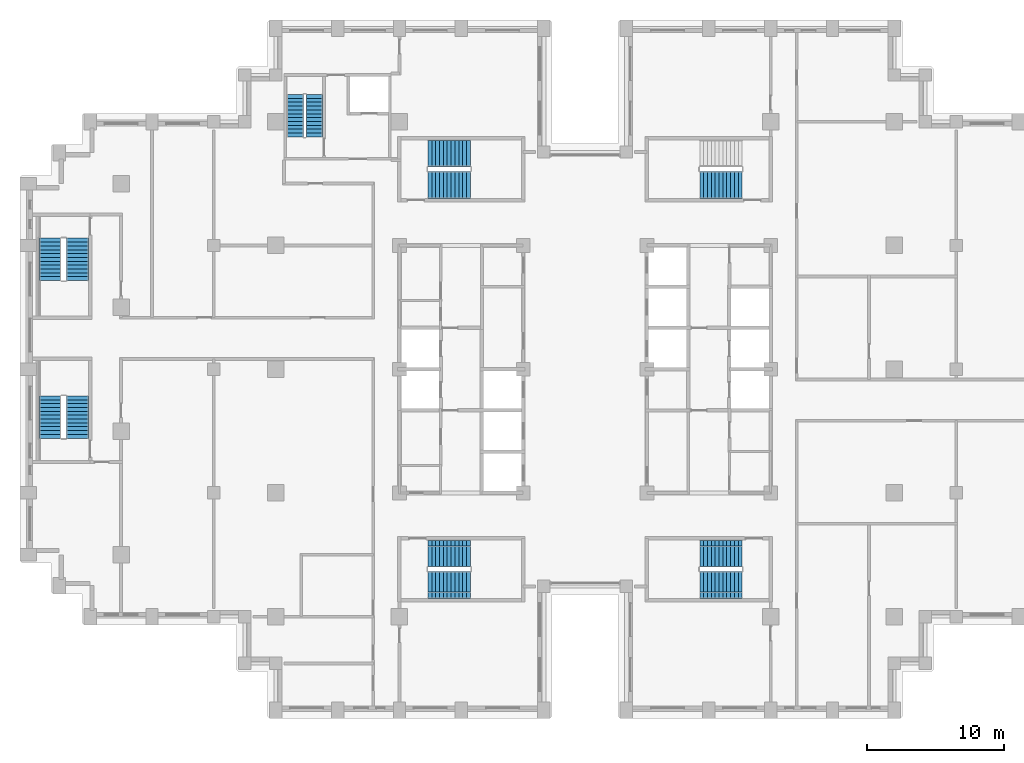
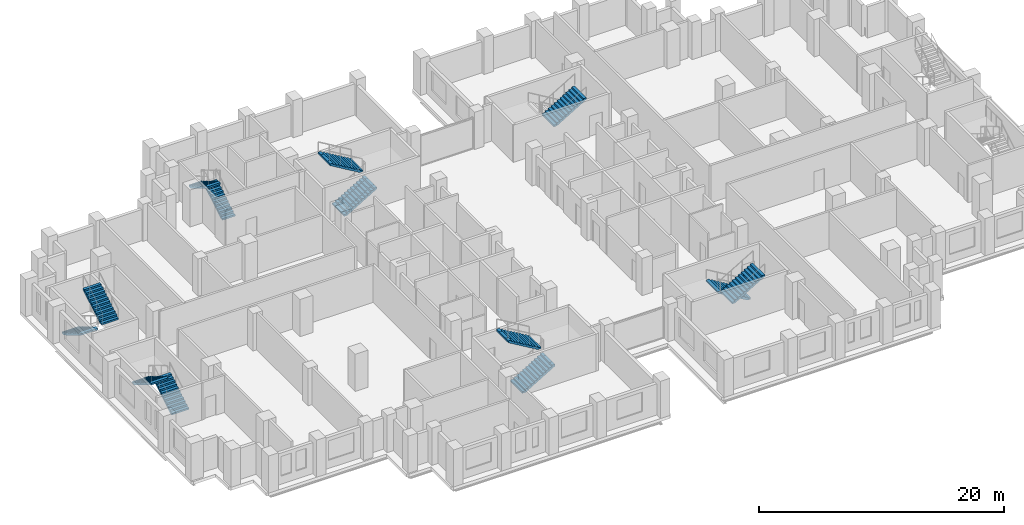
# One storey, part 13 of 16: 13 stair flights, 7 elements without a shape of their own.
"""IFC4 building model written with IfcOpenShell, lengths in metres."""

from ifc_helpers import new_model, si_unit, direction, frame, origin, place, context, subcontext, project, spatial, polyline, outline, extrude, material, type_object, element, aggregate, save


model = new_model("IFC4")

# Units and contexts
model_context = context("Model", 3, precision=1e-05, world=origin(), true_north=direction((0.0, 1.0)))
body_context = subcontext(model_context, "Body", "Model", "MODEL_VIEW")
ifc_project = project(units=[si_unit("LENGTHUNIT", "METRE"), si_unit("AREAUNIT", "SQUARE_METRE"), si_unit("VOLUMEUNIT", "CUBIC_METRE"), si_unit("PLANEANGLEUNIT", "RADIAN"), si_unit("MASSUNIT", "GRAM", prefix="KILO")], contexts=[model_context])

# Site, building, storey
site_placement = place(None, origin())
site = spatial("IfcSite", under=ifc_project, at=site_placement, CompositionType="ELEMENT")
building_placement = place(site_placement, origin())
building = spatial("IfcBuilding", under=site, at=building_placement, Name="Corbelhall Arena Tower", CompositionType="ELEMENT")
storey_placement = place(building_placement, frame((0.0, 0.0, 72.0)))
storey = spatial("IfcBuildingStorey", under=building, at=storey_placement, Name="L10", CompositionType="ELEMENT", Elevation=72.0)

# Stair, stair flights
ifc_material = material(Name="Concrete C40/50", Category="concrete")
stair_type = type_object("IfcStairType", Name="IN-ST-TOWER", PredefinedType="HALF_TURN_STAIR", material=ifc_material)
stair_1_placement = place(storey_placement, origin())
stair_1 = element("IfcStair", 1, at=stair_1_placement, inside=storey, type_object=stair_type, Name="L10 Exit stair ST1", PredefinedType="HALF_TURN_STAIR")
stair_flight_type = type_object("IfcStairFlightType", Name="IN-SFL-RC", PredefinedType="STRAIGHT", material=ifc_material)
stair_flight_1_placement = place(storey_placement, frame((-11.425048828125, 13.39990234375, 0.0), z_axis=(0.0, 0.0, 1.0), x_axis=(1.0, 0.0, 0.0)))
stair_flight_1 = element("IfcStairFlight", 2, at=stair_flight_1_placement, type_object=stair_flight_type, Name="ST1 flight 1", NumberOfRisers=12, NumberOfTreads=11, PredefinedType="STRAIGHT", RiserHeight=0.166666667, TreadLength=0.28, context=body_context, shape_type="SweptSolid", body=[
    extrude(outline(polyline([(0.0, 0.0), (0.0, 0.166748046875), (0.280029296875, 0.166748046875), (0.280029296875, 0.333251953125), (0.56005859375, 0.333251953125), (0.56005859375, 0.5), (0.840087890625, 0.5), (0.840087890625, 0.666748046875), (1.1201171875, 0.666748046875), (1.1201171875, 0.833251953125), (1.39990234375, 0.833251953125), (1.39990234375, 1.0), (1.679931640625, 1.0), (1.679931640625, 1.166748046875), (1.9599609375, 1.166748046875), (1.9599609375, 1.333251953125), (2.239990234375, 1.333251953125), (2.239990234375, 1.5), (2.52001953125, 1.5), (2.52001953125, 1.666748046875), (2.800048828125, 1.666748046875), (2.800048828125, 1.833251953125), (3.080078125, 1.833251953125), (3.080078125, 2.0), (3.080078125, 1.658935546875), (0.29296875, 0.0), (0.0, 0.0)])), frame((0.0, 0.97509765625, 0.0), z_axis=(0.0, -1.0, 0.0), x_axis=(1.0, 0.0, 0.0)), (0.0, 0.0, 1.0), 0.449951171875),
    extrude(outline(polyline([(0.0, 0.0), (0.0, 0.166748046875), (0.280029296875, 0.166748046875), (0.280029296875, 0.333251953125), (0.56005859375, 0.333251953125), (0.56005859375, 0.5), (0.840087890625, 0.5), (0.840087890625, 0.666748046875), (1.1201171875, 0.666748046875), (1.1201171875, 0.833251953125), (1.39990234375, 0.833251953125), (1.39990234375, 1.0), (1.679931640625, 1.0), (1.679931640625, 1.166748046875), (1.9599609375, 1.166748046875), (1.9599609375, 1.333251953125), (2.239990234375, 1.333251953125), (2.239990234375, 1.5), (2.52001953125, 1.5), (2.52001953125, 1.666748046875), (2.800048828125, 1.666748046875), (2.800048828125, 1.833251953125), (3.080078125, 1.833251953125), (3.080078125, 2.0), (3.080078125, 1.658935546875), (0.29296875, 0.0), (0.0, 0.0)])), frame((0.0, 0.52099609375, 0.0), z_axis=(0.0, -1.0, 0.0), x_axis=(1.0, 0.0, 0.0)), (0.0, 0.0, 1.0), 1.0419921875),
    extrude(outline(polyline([(0.0, 0.0), (0.0, 0.166748046875), (0.280029296875, 0.166748046875), (0.280029296875, 0.333251953125), (0.56005859375, 0.333251953125), (0.56005859375, 0.5), (0.840087890625, 0.5), (0.840087890625, 0.666748046875), (1.1201171875, 0.666748046875), (1.1201171875, 0.833251953125), (1.39990234375, 0.833251953125), (1.39990234375, 1.0), (1.679931640625, 1.0), (1.679931640625, 1.166748046875), (1.9599609375, 1.166748046875), (1.9599609375, 1.333251953125), (2.239990234375, 1.333251953125), (2.239990234375, 1.5), (2.52001953125, 1.5), (2.52001953125, 1.666748046875), (2.800048828125, 1.666748046875), (2.800048828125, 1.833251953125), (3.080078125, 1.833251953125), (3.080078125, 2.0), (3.080078125, 1.658935546875), (0.29296875, 0.0), (0.0, 0.0)])), frame((0.0, -0.52490234375, 0.0), z_axis=(0.0, -1.0, 0.0), x_axis=(1.0, 0.0, 0.0)), (0.0, 0.0, 1.0), 0.449951171875),
])
stair_flight_2_placement = place(storey_placement, frame((-8.344970703125, 15.699951171875, 2.0), z_axis=(0.0, 0.0, 1.0), x_axis=(-1.0, 0.0, 0.0)))
stair_flight_2 = element("IfcStairFlight", 3, at=stair_flight_2_placement, type_object=stair_flight_type, Name="ST1 flight 2", NumberOfRisers=12, NumberOfTreads=11, PredefinedType="STRAIGHT", RiserHeight=0.166666667, TreadLength=0.28, context=body_context, shape_type="SweptSolid", body=[
    extrude(outline(polyline([(0.0, 0.0), (0.0, 0.166748046875), (0.280029296875, 0.166748046875), (0.280029296875, 0.333251953125), (0.56005859375, 0.333251953125), (0.56005859375, 0.5), (0.840087890625, 0.5), (0.840087890625, 0.666748046875), (1.1201171875, 0.666748046875), (1.1201171875, 0.833251953125), (1.39990234375, 0.833251953125), (1.39990234375, 1.0), (1.679931640625, 1.0), (1.679931640625, 1.166748046875), (1.9599609375, 1.166748046875), (1.9599609375, 1.333251953125), (2.239990234375, 1.333251953125), (2.239990234375, 1.5), (2.52001953125, 1.5), (2.52001953125, 1.666748046875), (2.800048828125, 1.666748046875), (2.800048828125, 1.833251953125), (3.080078125, 1.833251953125), (3.080078125, 2.0), (3.080078125, 1.658935546875), (0.29296875, 0.0), (0.0, 0.0)])), frame((0.0, 0.97509765625, 0.0), z_axis=(0.0, -1.0, 0.0), x_axis=(1.0, 0.0, 0.0)), (0.0, 0.0, 1.0), 0.449951171875),
    extrude(outline(polyline([(0.0, 0.0), (0.0, 0.166748046875), (0.280029296875, 0.166748046875), (0.280029296875, 0.333251953125), (0.56005859375, 0.333251953125), (0.56005859375, 0.5), (0.840087890625, 0.5), (0.840087890625, 0.666748046875), (1.1201171875, 0.666748046875), (1.1201171875, 0.833251953125), (1.39990234375, 0.833251953125), (1.39990234375, 1.0), (1.679931640625, 1.0), (1.679931640625, 1.166748046875), (1.9599609375, 1.166748046875), (1.9599609375, 1.333251953125), (2.239990234375, 1.333251953125), (2.239990234375, 1.5), (2.52001953125, 1.5), (2.52001953125, 1.666748046875), (2.800048828125, 1.666748046875), (2.800048828125, 1.833251953125), (3.080078125, 1.833251953125), (3.080078125, 2.0), (3.080078125, 1.658935546875), (0.29296875, 0.0), (0.0, 0.0)])), frame((0.0, 0.52099609375, 0.0), z_axis=(0.0, -1.0, 0.0), x_axis=(1.0, 0.0, 0.0)), (0.0, 0.0, 1.0), 1.0419921875),
    extrude(outline(polyline([(0.0, 0.0), (0.0, 0.166748046875), (0.280029296875, 0.166748046875), (0.280029296875, 0.333251953125), (0.56005859375, 0.333251953125), (0.56005859375, 0.5), (0.840087890625, 0.5), (0.840087890625, 0.666748046875), (1.1201171875, 0.666748046875), (1.1201171875, 0.833251953125), (1.39990234375, 0.833251953125), (1.39990234375, 1.0), (1.679931640625, 1.0), (1.679931640625, 1.166748046875), (1.9599609375, 1.166748046875), (1.9599609375, 1.333251953125), (2.239990234375, 1.333251953125), (2.239990234375, 1.5), (2.52001953125, 1.5), (2.52001953125, 1.666748046875), (2.800048828125, 1.666748046875), (2.800048828125, 1.833251953125), (3.080078125, 1.833251953125), (3.080078125, 2.0), (3.080078125, 1.658935546875), (0.29296875, 0.0), (0.0, 0.0)])), frame((0.0, -0.52490234375, 0.0), z_axis=(0.0, -1.0, 0.0), x_axis=(1.0, 0.0, 0.0)), (0.0, 0.0, 1.0), 0.449951171875),
])
aggregate(stair_1, [stair_flight_1, stair_flight_2])

stair_2_placement = place(storey_placement, origin())
stair_2 = element("IfcStair", 4, at=stair_2_placement, inside=storey, type_object=stair_type, Name="L10 Exit stair ST2", PredefinedType="HALF_TURN_STAIR")
stair_flight_3_placement = place(storey_placement, frame((-11.425048828125, -15.699951171875, 0.0), z_axis=(0.0, 0.0, 1.0), x_axis=(1.0, 0.0, 0.0)))
stair_flight_3 = element("IfcStairFlight", 5, at=stair_flight_3_placement, type_object=stair_flight_type, Name="ST2 flight 1", NumberOfRisers=12, NumberOfTreads=11, PredefinedType="STRAIGHT", RiserHeight=0.166666667, TreadLength=0.28, context=body_context, shape_type="SweptSolid", body=[
    extrude(outline(polyline([(0.0, 0.0), (0.0, 0.166748046875), (0.280029296875, 0.166748046875), (0.280029296875, 0.333251953125), (0.56005859375, 0.333251953125), (0.56005859375, 0.5), (0.840087890625, 0.5), (0.840087890625, 0.666748046875), (1.1201171875, 0.666748046875), (1.1201171875, 0.833251953125), (1.39990234375, 0.833251953125), (1.39990234375, 1.0), (1.679931640625, 1.0), (1.679931640625, 1.166748046875), (1.9599609375, 1.166748046875), (1.9599609375, 1.333251953125), (2.239990234375, 1.333251953125), (2.239990234375, 1.5), (2.52001953125, 1.5), (2.52001953125, 1.666748046875), (2.800048828125, 1.666748046875), (2.800048828125, 1.833251953125), (3.080078125, 1.833251953125), (3.080078125, 2.0), (3.080078125, 1.658935546875), (0.29296875, 0.0), (0.0, 0.0)])), frame((0.0, 0.97509765625, 0.0), z_axis=(0.0, -1.0, 0.0), x_axis=(1.0, 0.0, 0.0)), (0.0, 0.0, 1.0), 0.449951171875),
    extrude(outline(polyline([(0.0, 0.0), (0.0, 0.166748046875), (0.280029296875, 0.166748046875), (0.280029296875, 0.333251953125), (0.56005859375, 0.333251953125), (0.56005859375, 0.5), (0.840087890625, 0.5), (0.840087890625, 0.666748046875), (1.1201171875, 0.666748046875), (1.1201171875, 0.833251953125), (1.39990234375, 0.833251953125), (1.39990234375, 1.0), (1.679931640625, 1.0), (1.679931640625, 1.166748046875), (1.9599609375, 1.166748046875), (1.9599609375, 1.333251953125), (2.239990234375, 1.333251953125), (2.239990234375, 1.5), (2.52001953125, 1.5), (2.52001953125, 1.666748046875), (2.800048828125, 1.666748046875), (2.800048828125, 1.833251953125), (3.080078125, 1.833251953125), (3.080078125, 2.0), (3.080078125, 1.658935546875), (0.29296875, 0.0), (0.0, 0.0)])), frame((0.0, 0.52099609375, 0.0), z_axis=(0.0, -1.0, 0.0), x_axis=(1.0, 0.0, 0.0)), (0.0, 0.0, 1.0), 1.0419921875),
    extrude(outline(polyline([(0.0, 0.0), (0.0, 0.166748046875), (0.280029296875, 0.166748046875), (0.280029296875, 0.333251953125), (0.56005859375, 0.333251953125), (0.56005859375, 0.5), (0.840087890625, 0.5), (0.840087890625, 0.666748046875), (1.1201171875, 0.666748046875), (1.1201171875, 0.833251953125), (1.39990234375, 0.833251953125), (1.39990234375, 1.0), (1.679931640625, 1.0), (1.679931640625, 1.166748046875), (1.9599609375, 1.166748046875), (1.9599609375, 1.333251953125), (2.239990234375, 1.333251953125), (2.239990234375, 1.5), (2.52001953125, 1.5), (2.52001953125, 1.666748046875), (2.800048828125, 1.666748046875), (2.800048828125, 1.833251953125), (3.080078125, 1.833251953125), (3.080078125, 2.0), (3.080078125, 1.658935546875), (0.29296875, 0.0), (0.0, 0.0)])), frame((0.0, -0.52490234375, 0.0), z_axis=(0.0, -1.0, 0.0), x_axis=(1.0, 0.0, 0.0)), (0.0, 0.0, 1.0), 0.449951171875),
])
stair_flight_4_placement = place(storey_placement, frame((-8.344970703125, -13.39990234375, 2.0), z_axis=(0.0, 0.0, 1.0), x_axis=(-1.0, 0.0, 0.0)))
stair_flight_4 = element("IfcStairFlight", 6, at=stair_flight_4_placement, type_object=stair_flight_type, Name="ST2 flight 2", NumberOfRisers=12, NumberOfTreads=11, PredefinedType="STRAIGHT", RiserHeight=0.166666667, TreadLength=0.28, context=body_context, shape_type="SweptSolid", body=[
    extrude(outline(polyline([(0.0, 0.0), (0.0, 0.166748046875), (0.280029296875, 0.166748046875), (0.280029296875, 0.333251953125), (0.56005859375, 0.333251953125), (0.56005859375, 0.5), (0.840087890625, 0.5), (0.840087890625, 0.666748046875), (1.1201171875, 0.666748046875), (1.1201171875, 0.833251953125), (1.39990234375, 0.833251953125), (1.39990234375, 1.0), (1.679931640625, 1.0), (1.679931640625, 1.166748046875), (1.9599609375, 1.166748046875), (1.9599609375, 1.333251953125), (2.239990234375, 1.333251953125), (2.239990234375, 1.5), (2.52001953125, 1.5), (2.52001953125, 1.666748046875), (2.800048828125, 1.666748046875), (2.800048828125, 1.833251953125), (3.080078125, 1.833251953125), (3.080078125, 2.0), (3.080078125, 1.658935546875), (0.29296875, 0.0), (0.0, 0.0)])), frame((0.0, 0.97509765625, 0.0), z_axis=(0.0, -1.0, 0.0), x_axis=(1.0, 0.0, 0.0)), (0.0, 0.0, 1.0), 0.449951171875),
    extrude(outline(polyline([(0.0, 0.0), (0.0, 0.166748046875), (0.280029296875, 0.166748046875), (0.280029296875, 0.333251953125), (0.56005859375, 0.333251953125), (0.56005859375, 0.5), (0.840087890625, 0.5), (0.840087890625, 0.666748046875), (1.1201171875, 0.666748046875), (1.1201171875, 0.833251953125), (1.39990234375, 0.833251953125), (1.39990234375, 1.0), (1.679931640625, 1.0), (1.679931640625, 1.166748046875), (1.9599609375, 1.166748046875), (1.9599609375, 1.333251953125), (2.239990234375, 1.333251953125), (2.239990234375, 1.5), (2.52001953125, 1.5), (2.52001953125, 1.666748046875), (2.800048828125, 1.666748046875), (2.800048828125, 1.833251953125), (3.080078125, 1.833251953125), (3.080078125, 2.0), (3.080078125, 1.658935546875), (0.29296875, 0.0), (0.0, 0.0)])), frame((0.0, 0.52099609375, 0.0), z_axis=(0.0, -1.0, 0.0), x_axis=(1.0, 0.0, 0.0)), (0.0, 0.0, 1.0), 1.0419921875),
    extrude(outline(polyline([(0.0, 0.0), (0.0, 0.166748046875), (0.280029296875, 0.166748046875), (0.280029296875, 0.333251953125), (0.56005859375, 0.333251953125), (0.56005859375, 0.5), (0.840087890625, 0.5), (0.840087890625, 0.666748046875), (1.1201171875, 0.666748046875), (1.1201171875, 0.833251953125), (1.39990234375, 0.833251953125), (1.39990234375, 1.0), (1.679931640625, 1.0), (1.679931640625, 1.166748046875), (1.9599609375, 1.166748046875), (1.9599609375, 1.333251953125), (2.239990234375, 1.333251953125), (2.239990234375, 1.5), (2.52001953125, 1.5), (2.52001953125, 1.666748046875), (2.800048828125, 1.666748046875), (2.800048828125, 1.833251953125), (3.080078125, 1.833251953125), (3.080078125, 2.0), (3.080078125, 1.658935546875), (0.29296875, 0.0), (0.0, 0.0)])), frame((0.0, -0.52490234375, 0.0), z_axis=(0.0, -1.0, 0.0), x_axis=(1.0, 0.0, 0.0)), (0.0, 0.0, 1.0), 0.449951171875),
])
aggregate(stair_2, [stair_flight_3, stair_flight_4])

# Stair, stair flight
stair_3_placement = place(storey_placement, origin())
stair_3 = element("IfcStair", 7, at=stair_3_placement, inside=storey, type_object=stair_type, Name="L10 Exit stair ST3", PredefinedType="HALF_TURN_STAIR")
stair_flight_5_placement = place(storey_placement, frame((8.344970703125, 13.39990234375, 2.0), z_axis=(0.0, 0.0, 1.0), x_axis=(1.0, 0.0, 0.0)))
stair_flight_5 = element("IfcStairFlight", 8, at=stair_flight_5_placement, type_object=stair_flight_type, Name="ST3 flight 2", NumberOfRisers=12, NumberOfTreads=11, PredefinedType="STRAIGHT", RiserHeight=0.166666667, TreadLength=0.28, context=body_context, shape_type="SweptSolid", body=[
    extrude(outline(polyline([(0.0, 0.0), (0.0, 0.166748046875), (0.280029296875, 0.166748046875), (0.280029296875, 0.333251953125), (0.56005859375, 0.333251953125), (0.56005859375, 0.5), (0.840087890625, 0.5), (0.840087890625, 0.666748046875), (1.1201171875, 0.666748046875), (1.1201171875, 0.833251953125), (1.39990234375, 0.833251953125), (1.39990234375, 1.0), (1.679931640625, 1.0), (1.679931640625, 1.166748046875), (1.9599609375, 1.166748046875), (1.9599609375, 1.333251953125), (2.239990234375, 1.333251953125), (2.239990234375, 1.5), (2.52001953125, 1.5), (2.52001953125, 1.666748046875), (2.800048828125, 1.666748046875), (2.800048828125, 1.833251953125), (3.080078125, 1.833251953125), (3.080078125, 2.0), (3.080078125, 1.658935546875), (0.29296875, 0.0), (0.0, 0.0)])), frame((0.0, 0.97509765625, 0.0), z_axis=(0.0, -1.0, 0.0), x_axis=(1.0, 0.0, 0.0)), (0.0, 0.0, 1.0), 0.449951171875),
    extrude(outline(polyline([(0.0, 0.0), (0.0, 0.166748046875), (0.280029296875, 0.166748046875), (0.280029296875, 0.333251953125), (0.56005859375, 0.333251953125), (0.56005859375, 0.5), (0.840087890625, 0.5), (0.840087890625, 0.666748046875), (1.1201171875, 0.666748046875), (1.1201171875, 0.833251953125), (1.39990234375, 0.833251953125), (1.39990234375, 1.0), (1.679931640625, 1.0), (1.679931640625, 1.166748046875), (1.9599609375, 1.166748046875), (1.9599609375, 1.333251953125), (2.239990234375, 1.333251953125), (2.239990234375, 1.5), (2.52001953125, 1.5), (2.52001953125, 1.666748046875), (2.800048828125, 1.666748046875), (2.800048828125, 1.833251953125), (3.080078125, 1.833251953125), (3.080078125, 2.0), (3.080078125, 1.658935546875), (0.29296875, 0.0), (0.0, 0.0)])), frame((0.0, 0.52099609375, 0.0), z_axis=(0.0, -1.0, 0.0), x_axis=(1.0, 0.0, 0.0)), (0.0, 0.0, 1.0), 1.0419921875),
    extrude(outline(polyline([(0.0, 0.0), (0.0, 0.166748046875), (0.280029296875, 0.166748046875), (0.280029296875, 0.333251953125), (0.56005859375, 0.333251953125), (0.56005859375, 0.5), (0.840087890625, 0.5), (0.840087890625, 0.666748046875), (1.1201171875, 0.666748046875), (1.1201171875, 0.833251953125), (1.39990234375, 0.833251953125), (1.39990234375, 1.0), (1.679931640625, 1.0), (1.679931640625, 1.166748046875), (1.9599609375, 1.166748046875), (1.9599609375, 1.333251953125), (2.239990234375, 1.333251953125), (2.239990234375, 1.5), (2.52001953125, 1.5), (2.52001953125, 1.666748046875), (2.800048828125, 1.666748046875), (2.800048828125, 1.833251953125), (3.080078125, 1.833251953125), (3.080078125, 2.0), (3.080078125, 1.658935546875), (0.29296875, 0.0), (0.0, 0.0)])), frame((0.0, -0.52490234375, 0.0), z_axis=(0.0, -1.0, 0.0), x_axis=(1.0, 0.0, 0.0)), (0.0, 0.0, 1.0), 0.449951171875),
])
aggregate(stair_3, [stair_flight_5])

# Stair, stair flights
stair_4_placement = place(storey_placement, origin())
stair_4 = element("IfcStair", 9, at=stair_4_placement, inside=storey, type_object=stair_type, Name="L10 Exit stair ST4", PredefinedType="HALF_TURN_STAIR")
stair_flight_6_placement = place(storey_placement, frame((11.425048828125, -13.39990234375, 0.0), z_axis=(0.0, 0.0, 1.0), x_axis=(-1.0, 0.0, 0.0)))
stair_flight_6 = element("IfcStairFlight", 10, at=stair_flight_6_placement, type_object=stair_flight_type, Name="ST4 flight 1", NumberOfRisers=12, NumberOfTreads=11, PredefinedType="STRAIGHT", RiserHeight=0.166666667, TreadLength=0.28, context=body_context, shape_type="SweptSolid", body=[
    extrude(outline(polyline([(0.0, 0.0), (0.0, 0.166748046875), (0.280029296875, 0.166748046875), (0.280029296875, 0.333251953125), (0.56005859375, 0.333251953125), (0.56005859375, 0.5), (0.840087890625, 0.5), (0.840087890625, 0.666748046875), (1.1201171875, 0.666748046875), (1.1201171875, 0.833251953125), (1.39990234375, 0.833251953125), (1.39990234375, 1.0), (1.679931640625, 1.0), (1.679931640625, 1.166748046875), (1.9599609375, 1.166748046875), (1.9599609375, 1.333251953125), (2.239990234375, 1.333251953125), (2.239990234375, 1.5), (2.52001953125, 1.5), (2.52001953125, 1.666748046875), (2.800048828125, 1.666748046875), (2.800048828125, 1.833251953125), (3.080078125, 1.833251953125), (3.080078125, 2.0), (3.080078125, 1.658935546875), (0.29296875, 0.0), (0.0, 0.0)])), frame((0.0, 0.97509765625, 0.0), z_axis=(0.0, -1.0, 0.0), x_axis=(1.0, 0.0, 0.0)), (0.0, 0.0, 1.0), 0.449951171875),
    extrude(outline(polyline([(0.0, 0.0), (0.0, 0.166748046875), (0.280029296875, 0.166748046875), (0.280029296875, 0.333251953125), (0.56005859375, 0.333251953125), (0.56005859375, 0.5), (0.840087890625, 0.5), (0.840087890625, 0.666748046875), (1.1201171875, 0.666748046875), (1.1201171875, 0.833251953125), (1.39990234375, 0.833251953125), (1.39990234375, 1.0), (1.679931640625, 1.0), (1.679931640625, 1.166748046875), (1.9599609375, 1.166748046875), (1.9599609375, 1.333251953125), (2.239990234375, 1.333251953125), (2.239990234375, 1.5), (2.52001953125, 1.5), (2.52001953125, 1.666748046875), (2.800048828125, 1.666748046875), (2.800048828125, 1.833251953125), (3.080078125, 1.833251953125), (3.080078125, 2.0), (3.080078125, 1.658935546875), (0.29296875, 0.0), (0.0, 0.0)])), frame((0.0, 0.52099609375, 0.0), z_axis=(0.0, -1.0, 0.0), x_axis=(1.0, 0.0, 0.0)), (0.0, 0.0, 1.0), 1.0419921875),
    extrude(outline(polyline([(0.0, 0.0), (0.0, 0.166748046875), (0.280029296875, 0.166748046875), (0.280029296875, 0.333251953125), (0.56005859375, 0.333251953125), (0.56005859375, 0.5), (0.840087890625, 0.5), (0.840087890625, 0.666748046875), (1.1201171875, 0.666748046875), (1.1201171875, 0.833251953125), (1.39990234375, 0.833251953125), (1.39990234375, 1.0), (1.679931640625, 1.0), (1.679931640625, 1.166748046875), (1.9599609375, 1.166748046875), (1.9599609375, 1.333251953125), (2.239990234375, 1.333251953125), (2.239990234375, 1.5), (2.52001953125, 1.5), (2.52001953125, 1.666748046875), (2.800048828125, 1.666748046875), (2.800048828125, 1.833251953125), (3.080078125, 1.833251953125), (3.080078125, 2.0), (3.080078125, 1.658935546875), (0.29296875, 0.0), (0.0, 0.0)])), frame((0.0, -0.52490234375, 0.0), z_axis=(0.0, -1.0, 0.0), x_axis=(1.0, 0.0, 0.0)), (0.0, 0.0, 1.0), 0.449951171875),
])
stair_flight_7_placement = place(storey_placement, frame((8.344970703125, -15.699951171875, 2.0), z_axis=(0.0, 0.0, 1.0), x_axis=(1.0, 0.0, 0.0)))
stair_flight_7 = element("IfcStairFlight", 11, at=stair_flight_7_placement, type_object=stair_flight_type, Name="ST4 flight 2", NumberOfRisers=12, NumberOfTreads=11, PredefinedType="STRAIGHT", RiserHeight=0.166666667, TreadLength=0.28, context=body_context, shape_type="SweptSolid", body=[
    extrude(outline(polyline([(0.0, 0.0), (0.0, 0.166748046875), (0.280029296875, 0.166748046875), (0.280029296875, 0.333251953125), (0.56005859375, 0.333251953125), (0.56005859375, 0.5), (0.840087890625, 0.5), (0.840087890625, 0.666748046875), (1.1201171875, 0.666748046875), (1.1201171875, 0.833251953125), (1.39990234375, 0.833251953125), (1.39990234375, 1.0), (1.679931640625, 1.0), (1.679931640625, 1.166748046875), (1.9599609375, 1.166748046875), (1.9599609375, 1.333251953125), (2.239990234375, 1.333251953125), (2.239990234375, 1.5), (2.52001953125, 1.5), (2.52001953125, 1.666748046875), (2.800048828125, 1.666748046875), (2.800048828125, 1.833251953125), (3.080078125, 1.833251953125), (3.080078125, 2.0), (3.080078125, 1.658935546875), (0.29296875, 0.0), (0.0, 0.0)])), frame((0.0, 0.97509765625, 0.0), z_axis=(0.0, -1.0, 0.0), x_axis=(1.0, 0.0, 0.0)), (0.0, 0.0, 1.0), 0.449951171875),
    extrude(outline(polyline([(0.0, 0.0), (0.0, 0.166748046875), (0.280029296875, 0.166748046875), (0.280029296875, 0.333251953125), (0.56005859375, 0.333251953125), (0.56005859375, 0.5), (0.840087890625, 0.5), (0.840087890625, 0.666748046875), (1.1201171875, 0.666748046875), (1.1201171875, 0.833251953125), (1.39990234375, 0.833251953125), (1.39990234375, 1.0), (1.679931640625, 1.0), (1.679931640625, 1.166748046875), (1.9599609375, 1.166748046875), (1.9599609375, 1.333251953125), (2.239990234375, 1.333251953125), (2.239990234375, 1.5), (2.52001953125, 1.5), (2.52001953125, 1.666748046875), (2.800048828125, 1.666748046875), (2.800048828125, 1.833251953125), (3.080078125, 1.833251953125), (3.080078125, 2.0), (3.080078125, 1.658935546875), (0.29296875, 0.0), (0.0, 0.0)])), frame((0.0, 0.52099609375, 0.0), z_axis=(0.0, -1.0, 0.0), x_axis=(1.0, 0.0, 0.0)), (0.0, 0.0, 1.0), 1.0419921875),
    extrude(outline(polyline([(0.0, 0.0), (0.0, 0.166748046875), (0.280029296875, 0.166748046875), (0.280029296875, 0.333251953125), (0.56005859375, 0.333251953125), (0.56005859375, 0.5), (0.840087890625, 0.5), (0.840087890625, 0.666748046875), (1.1201171875, 0.666748046875), (1.1201171875, 0.833251953125), (1.39990234375, 0.833251953125), (1.39990234375, 1.0), (1.679931640625, 1.0), (1.679931640625, 1.166748046875), (1.9599609375, 1.166748046875), (1.9599609375, 1.333251953125), (2.239990234375, 1.333251953125), (2.239990234375, 1.5), (2.52001953125, 1.5), (2.52001953125, 1.666748046875), (2.800048828125, 1.666748046875), (2.800048828125, 1.833251953125), (3.080078125, 1.833251953125), (3.080078125, 2.0), (3.080078125, 1.658935546875), (0.29296875, 0.0), (0.0, 0.0)])), frame((0.0, -0.52490234375, 0.0), z_axis=(0.0, -1.0, 0.0), x_axis=(1.0, 0.0, 0.0)), (0.0, 0.0, 1.0), 0.449951171875),
])
aggregate(stair_4, [stair_flight_6, stair_flight_7])

stair_5_placement = place(storey_placement, origin())
stair_5 = element("IfcStair", 12, at=stair_5_placement, inside=storey, type_object=stair_type, Name="L10 Exit stair SC1", PredefinedType="HALF_TURN_STAIR")
stair_flight_8_placement = place(storey_placement, frame((-38.89990234375, 9.52490234375, 0.0), z_axis=(0.0, 0.0, 1.0), x_axis=(0.0, -1.0, 0.0)))
stair_flight_8 = element("IfcStairFlight", 13, at=stair_flight_8_placement, type_object=stair_flight_type, Name="SC1 flight 1", NumberOfRisers=12, NumberOfTreads=11, PredefinedType="STRAIGHT", RiserHeight=0.166666667, TreadLength=0.28, context=body_context, shape_type="SweptSolid", body=[
    extrude(outline(polyline([(0.0, 0.0), (0.0, 0.166748046875), (0.280029296875, 0.166748046875), (0.280029296875, 0.333251953125), (0.56005859375, 0.333251953125), (0.56005859375, 0.5), (0.840087890625, 0.5), (0.840087890625, 0.666748046875), (1.1201171875, 0.666748046875), (1.1201171875, 0.833251953125), (1.39990234375, 0.833251953125), (1.39990234375, 1.0), (1.679931640625, 1.0), (1.679931640625, 1.166748046875), (1.9599609375, 1.166748046875), (1.9599609375, 1.333251953125), (2.239990234375, 1.333251953125), (2.239990234375, 1.5), (2.52001953125, 1.5), (2.52001953125, 1.666748046875), (2.800048828125, 1.666748046875), (2.800048828125, 1.833251953125), (3.080078125, 1.833251953125), (3.080078125, 2.0), (3.080078125, 1.658935546875), (0.29296875, 0.0), (0.0, 0.0)])), frame((0.0, 0.800048828125, 0.0), z_axis=(0.0, -1.0, 0.0), x_axis=(1.0, 0.0, 0.0)), (0.0, 0.0, 1.0), 1.60009765625),
])
stair_flight_9_placement = place(storey_placement, frame((-36.925048828125, 6.445068359375, 2.0), z_axis=(0.0, 0.0, 1.0), x_axis=(0.0, 1.0, 0.0)))
stair_flight_9 = element("IfcStairFlight", 14, at=stair_flight_9_placement, type_object=stair_flight_type, Name="SC1 flight 2", NumberOfRisers=12, NumberOfTreads=11, PredefinedType="STRAIGHT", RiserHeight=0.166666667, TreadLength=0.28, context=body_context, shape_type="SweptSolid", body=[
    extrude(outline(polyline([(0.0, 0.0), (0.0, 0.166748046875), (0.280029296875, 0.166748046875), (0.280029296875, 0.333251953125), (0.56005859375, 0.333251953125), (0.56005859375, 0.5), (0.840087890625, 0.5), (0.840087890625, 0.666748046875), (1.1201171875, 0.666748046875), (1.1201171875, 0.833251953125), (1.39990234375, 0.833251953125), (1.39990234375, 1.0), (1.679931640625, 1.0), (1.679931640625, 1.166748046875), (1.9599609375, 1.166748046875), (1.9599609375, 1.333251953125), (2.239990234375, 1.333251953125), (2.239990234375, 1.5), (2.52001953125, 1.5), (2.52001953125, 1.666748046875), (2.800048828125, 1.666748046875), (2.800048828125, 1.833251953125), (3.080078125, 1.833251953125), (3.080078125, 2.0), (3.080078125, 1.658935546875), (0.29296875, 0.0), (0.0, 0.0)])), frame((0.0, 0.800048828125, 0.0), z_axis=(0.0, -1.0, 0.0), x_axis=(1.0, 0.0, 0.0)), (0.0, 0.0, 1.0), 1.60009765625),
])
aggregate(stair_5, [stair_flight_8, stair_flight_9])

stair_6_placement = place(storey_placement, origin())
stair_6 = element("IfcStair", 15, at=stair_6_placement, inside=storey, type_object=stair_type, Name="L10 Exit stair SC2", PredefinedType="HALF_TURN_STAIR")
stair_flight_10_placement = place(storey_placement, frame((-36.925048828125, -5.02490234375, 0.0), z_axis=(0.0, 0.0, 1.0), x_axis=(0.0, 1.0, 0.0)))
stair_flight_10 = element("IfcStairFlight", 16, at=stair_flight_10_placement, type_object=stair_flight_type, Name="SC2 flight 1", NumberOfRisers=12, NumberOfTreads=11, PredefinedType="STRAIGHT", RiserHeight=0.166666667, TreadLength=0.28, context=body_context, shape_type="SweptSolid", body=[
    extrude(outline(polyline([(0.0, 0.0), (0.0, 0.166748046875), (0.280029296875, 0.166748046875), (0.280029296875, 0.333251953125), (0.56005859375, 0.333251953125), (0.56005859375, 0.5), (0.840087890625, 0.5), (0.840087890625, 0.666748046875), (1.1201171875, 0.666748046875), (1.1201171875, 0.833251953125), (1.39990234375, 0.833251953125), (1.39990234375, 1.0), (1.679931640625, 1.0), (1.679931640625, 1.166748046875), (1.9599609375, 1.166748046875), (1.9599609375, 1.333251953125), (2.239990234375, 1.333251953125), (2.239990234375, 1.5), (2.52001953125, 1.5), (2.52001953125, 1.666748046875), (2.800048828125, 1.666748046875), (2.800048828125, 1.833251953125), (3.080078125, 1.833251953125), (3.080078125, 2.0), (3.080078125, 1.658935546875), (0.29296875, 0.0), (0.0, 0.0)])), frame((0.0, 0.800048828125, 0.0), z_axis=(0.0, -1.0, 0.0), x_axis=(1.0, 0.0, 0.0)), (0.0, 0.0, 1.0), 1.60009765625),
])
stair_flight_11_placement = place(storey_placement, frame((-38.89990234375, -1.945068359375, 2.0), z_axis=(0.0, 0.0, 1.0), x_axis=(0.0, -1.0, 0.0)))
stair_flight_11 = element("IfcStairFlight", 17, at=stair_flight_11_placement, type_object=stair_flight_type, Name="SC2 flight 2", NumberOfRisers=12, NumberOfTreads=11, PredefinedType="STRAIGHT", RiserHeight=0.166666667, TreadLength=0.28, context=body_context, shape_type="SweptSolid", body=[
    extrude(outline(polyline([(0.0, 0.0), (0.0, 0.166748046875), (0.280029296875, 0.166748046875), (0.280029296875, 0.333251953125), (0.56005859375, 0.333251953125), (0.56005859375, 0.5), (0.840087890625, 0.5), (0.840087890625, 0.666748046875), (1.1201171875, 0.666748046875), (1.1201171875, 0.833251953125), (1.39990234375, 0.833251953125), (1.39990234375, 1.0), (1.679931640625, 1.0), (1.679931640625, 1.166748046875), (1.9599609375, 1.166748046875), (1.9599609375, 1.333251953125), (2.239990234375, 1.333251953125), (2.239990234375, 1.5), (2.52001953125, 1.5), (2.52001953125, 1.666748046875), (2.800048828125, 1.666748046875), (2.800048828125, 1.833251953125), (3.080078125, 1.833251953125), (3.080078125, 2.0), (3.080078125, 1.658935546875), (0.29296875, 0.0), (0.0, 0.0)])), frame((0.0, 0.800048828125, 0.0), z_axis=(0.0, -1.0, 0.0), x_axis=(1.0, 0.0, 0.0)), (0.0, 0.0, 1.0), 1.60009765625),
])
aggregate(stair_6, [stair_flight_10, stair_flight_11])

stair_7_placement = place(storey_placement, origin())
stair_7 = element("IfcStair", 18, at=stair_7_placement, inside=storey, type_object=stair_type, Name="L10 Exit stair ST5", PredefinedType="HALF_TURN_STAIR")
stair_flight_12_placement = place(storey_placement, frame((-19.695068359375, 16.89990234375, 0.0), z_axis=(0.0, 0.0, 1.0), x_axis=(0.0, 1.0, 0.0)))
stair_flight_12 = element("IfcStairFlight", 19, at=stair_flight_12_placement, type_object=stair_flight_type, Name="ST5 flight 1", NumberOfRisers=12, NumberOfTreads=11, PredefinedType="STRAIGHT", RiserHeight=0.166666667, TreadLength=0.28, context=body_context, shape_type="SweptSolid", body=[
    extrude(outline(polyline([(0.0, 0.0), (0.0, 0.166748046875), (0.280029296875, 0.166748046875), (0.280029296875, 0.333251953125), (0.56005859375, 0.333251953125), (0.56005859375, 0.5), (0.840087890625, 0.5), (0.840087890625, 0.666748046875), (1.1201171875, 0.666748046875), (1.1201171875, 0.833251953125), (1.39990234375, 0.833251953125), (1.39990234375, 1.0), (1.679931640625, 1.0), (1.679931640625, 1.166748046875), (1.9599609375, 1.166748046875), (1.9599609375, 1.333251953125), (2.239990234375, 1.333251953125), (2.239990234375, 1.5), (2.52001953125, 1.5), (2.52001953125, 1.666748046875), (2.800048828125, 1.666748046875), (2.800048828125, 1.833251953125), (3.080078125, 1.833251953125), (3.080078125, 2.0), (3.080078125, 1.658935546875), (0.29296875, 0.0), (0.0, 0.0)])), frame((0.0, 0.60009765625, 0.0), z_axis=(0.0, -1.0, 0.0), x_axis=(1.0, 0.0, 0.0)), (0.0, 0.0, 1.0), 1.199951171875),
])
stair_flight_13_placement = place(storey_placement, frame((-21.094970703125, 19.97998046875, 2.0), z_axis=(0.0, 0.0, 1.0), x_axis=(0.0, -1.0, 0.0)))
stair_flight_13 = element("IfcStairFlight", 20, at=stair_flight_13_placement, type_object=stair_flight_type, Name="ST5 flight 2", NumberOfRisers=12, NumberOfTreads=11, PredefinedType="STRAIGHT", RiserHeight=0.166666667, TreadLength=0.28, context=body_context, shape_type="SweptSolid", body=[
    extrude(outline(polyline([(0.0, 0.0), (0.0, 0.166748046875), (0.280029296875, 0.166748046875), (0.280029296875, 0.333251953125), (0.56005859375, 0.333251953125), (0.56005859375, 0.5), (0.840087890625, 0.5), (0.840087890625, 0.666748046875), (1.1201171875, 0.666748046875), (1.1201171875, 0.833251953125), (1.39990234375, 0.833251953125), (1.39990234375, 1.0), (1.679931640625, 1.0), (1.679931640625, 1.166748046875), (1.9599609375, 1.166748046875), (1.9599609375, 1.333251953125), (2.239990234375, 1.333251953125), (2.239990234375, 1.5), (2.52001953125, 1.5), (2.52001953125, 1.666748046875), (2.800048828125, 1.666748046875), (2.800048828125, 1.833251953125), (3.080078125, 1.833251953125), (3.080078125, 2.0), (3.080078125, 1.658935546875), (0.29296875, 0.0), (0.0, 0.0)])), frame((0.0, 0.60009765625, 0.0), z_axis=(0.0, -1.0, 0.0), x_axis=(1.0, 0.0, 0.0)), (0.0, 0.0, 1.0), 1.199951171875),
])
aggregate(stair_7, [stair_flight_12, stair_flight_13])

save(model, "model.ifc")
